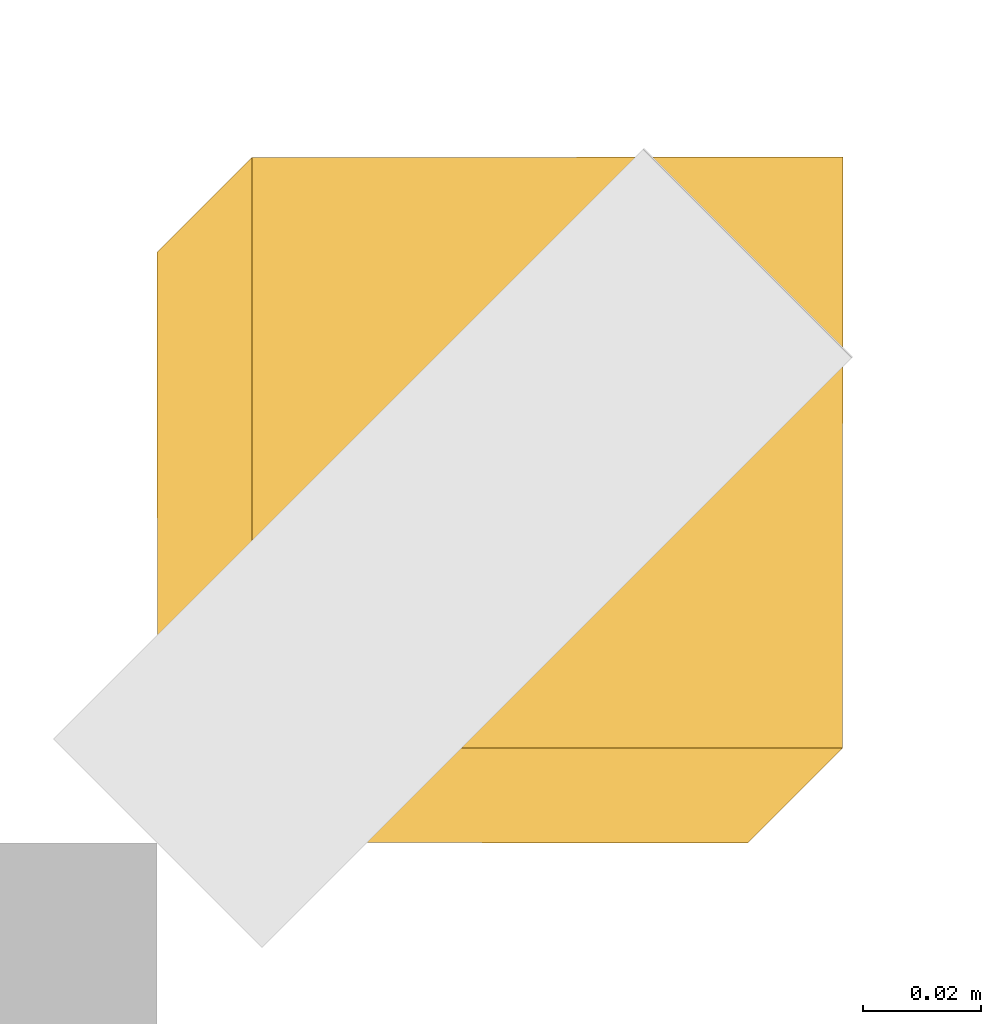
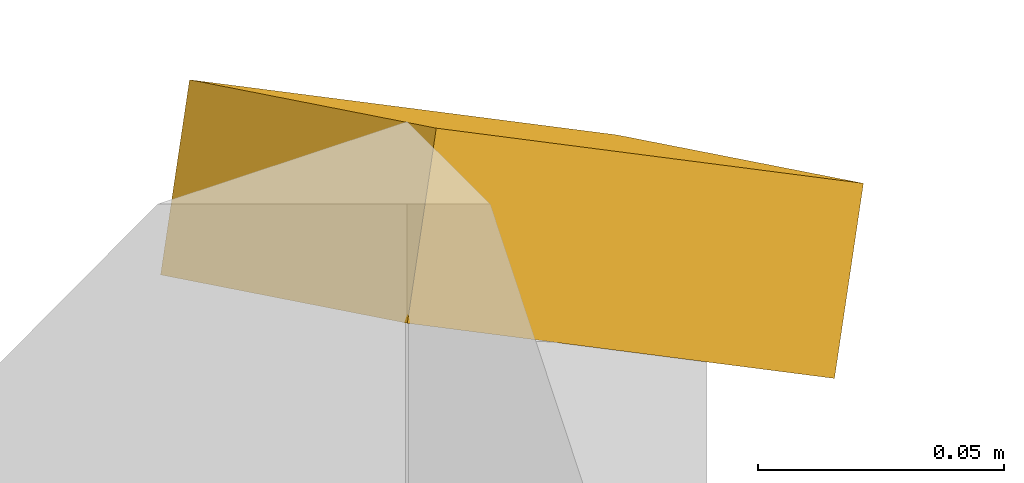
# One storey, part 57 of 58: 1 shading device.
"""IFC4 building model written with IfcOpenShell, lengths in metres."""

import ifcopenshell
import ifcopenshell.guid

model = None  # the IFC model being written
_history = None  # IfcOwnerHistory: only IFC2X3 demands one
_inside = {}  # id of a spatial element -> (the spatial element, [elements in it])
_under = {}  # id of a project, library or spatial element -> (it, [spatial elements below it])
_declared = {}  # id of a project -> (the project, [libraries it declares])
_typed = {}  # id of a type object -> (the type object, [elements of that type])
_made_of = {}  # id of a material, layer set ... -> (it, [elements and type objects made of it])


def new_model(schema):
    """Start an empty IFC model of exactly this schema.

    Asked for "IFC4X3", IfcOpenShell would pick the latest addendum, in which some entities
    have other attributes; the version numbers below select the first issue.
    IFC2X3 requires an IfcOwnerHistory on every rooted entity: one is made here for all.
    """
    global model, _history
    if schema == "IFC4X3":
        model = ifcopenshell.file(schema_version=(4, 3, 0, 0))
    else:
        model = ifcopenshell.file(schema=schema)
    _inside.clear()
    _under.clear()
    _declared.clear()
    _typed.clear()
    _made_of.clear()
    _history = None
    if model.schema == "IFC2X3":
        org = make("IfcOrganization", Name="unknown")
        user = make(
            "IfcPersonAndOrganization",
            ThePerson=make("IfcPerson", FamilyName="unknown"),
            TheOrganization=org,
        )
        app = make(
            "IfcApplication",
            ApplicationDeveloper=org,
            Version="unknown",
            ApplicationFullName="unknown",
            ApplicationIdentifier="unknown",
        )
        _history = make(
            "IfcOwnerHistory",
            OwningUser=user,
            OwningApplication=app,
            ChangeAction="ADDED",
            CreationDate=0,
        )
    return model


def make(cls, **values):
    """One entity of the class cls with the attributes given. An attribute that is None is left unset."""
    return model.create_entity(
        cls, **{name: value for name, value in values.items() if value is not None}
    )


def rooted(cls, **values):
    """An entity with a GlobalId (a new one), such as an element, a storey or a relation."""
    return make(cls, GlobalId=ifcopenshell.guid.new(), OwnerHistory=_history, **values)


def si_unit(unit_type, name, prefix=None):
    """IfcSIUnit, for example si_unit("LENGTHUNIT", "METRE", prefix="MILLI")."""
    return make("IfcSIUnit", UnitType=unit_type, Prefix=prefix, Name=name)


def assignment(units):
    """IfcUnitAssignment: the units of a project."""
    return None if units is None else make("IfcUnitAssignment", Units=units)


def point(xyz):
    """IfcCartesianPoint."""
    return None if xyz is None else make("IfcCartesianPoint", Coordinates=xyz)


def direction(xyz):
    """IfcDirection."""
    return None if xyz is None else make("IfcDirection", DirectionRatios=xyz)


def frame(location, z_axis=None, x_axis=None):
    """IfcAxis2Placement3D, a coordinate frame: its origin and axes. An axis left out is left unset."""
    return make(
        "IfcAxis2Placement3D",
        Location=point(location),
        Axis=direction(z_axis),
        RefDirection=direction(x_axis),
    )


def origin():
    """The frame at (0, 0, 0) with its axes left unset."""
    return frame((0.0, 0.0, 0.0))


def place(relative_to, where):
    """IfcLocalPlacement: puts the frame where relative to a parent placement (None: the world)."""
    return make(
        "IfcLocalPlacement", PlacementRelTo=relative_to, RelativePlacement=where
    )


def context(
    kind, dimensions, precision=None, world=None, true_north=None, identifier=None
):
    """IfcGeometricRepresentationContext, for example the 3D "Model" context."""
    return make(
        "IfcGeometricRepresentationContext",
        ContextIdentifier=identifier,
        ContextType=kind,
        CoordinateSpaceDimension=dimensions,
        Precision=precision,
        WorldCoordinateSystem=world,
        TrueNorth=true_north,
    )


def subcontext(parent, identifier, kind, view, scale=None):
    """IfcGeometricRepresentationSubContext, for example "Body" below "Model"."""
    return make(
        "IfcGeometricRepresentationSubContext",
        ContextIdentifier=identifier,
        ContextType=kind,
        ParentContext=parent,
        TargetScale=scale,
        TargetView=view,
    )


def project(units=None, contexts=None):
    """IfcProject with its units and contexts."""
    return rooted(
        "IfcProject",
        Name="project",
        RepresentationContexts=contexts,
        UnitsInContext=assignment(units),
    )


def spatial(cls, under=None, at=None, **own):
    """A site, building, storey or space (cls), placed at a placement, below another one or the project."""
    s = rooted(cls, ObjectPlacement=at, **own)
    if under is not None:
        _under.setdefault(under.id(), (under, []))[1].append(s)
    return s


def polyline(points):
    """IfcPolyline through the points."""
    return make("IfcPolyline", Points=[point(p) for p in points])


def outline(outer, holes=None, kind="AREA"):
    """IfcArbitraryClosedProfileDef: a profile drawn as a closed curve; with holes, ...WithVoids."""
    if holes is None:
        return make("IfcArbitraryClosedProfileDef", ProfileType=kind, OuterCurve=outer)
    return make(
        "IfcArbitraryProfileDefWithVoids",
        ProfileType=kind,
        OuterCurve=outer,
        InnerCurves=holes,
    )


def extrude(swept, where, along, depth):
    """IfcExtrudedAreaSolid: the profile swept, set in the frame where, extruded along a direction by depth."""
    return make(
        "IfcExtrudedAreaSolid",
        SweptArea=swept,
        Position=where,
        ExtrudedDirection=direction(along),
        Depth=depth,
    )


def shape(context_of_items, identifier, shape_type, items):
    """IfcShapeRepresentation: the items that make up one representation, for example the "Body"."""
    return make(
        "IfcShapeRepresentation",
        ContextOfItems=context_of_items,
        RepresentationIdentifier=identifier,
        RepresentationType=shape_type,
        Items=items,
    )


def material(Name=None, Category=None):
    """IfcMaterial."""
    return make("IfcMaterial", Name=Name, Category=Category)


def layer(
    of_material, thickness, ventilated=None, Name=None, Category=None, Priority=None
):
    """IfcMaterialLayer: one layer of a wall or slab, of a material (None: an air gap)."""
    return make(
        "IfcMaterialLayer",
        Material=of_material,
        LayerThickness=thickness,
        IsVentilated=ventilated,
        Name=Name,
        Category=Category,
        Priority=Priority,
    )


def layer_set(layers, Name=None):
    """IfcMaterialLayerSet."""
    return make("IfcMaterialLayerSet", MaterialLayers=layers, LayerSetName=Name)


def made_of(thing, what):
    """Note that an element or type object is made of a material, layer set ...; save() writes the relation."""
    if what is not None:
        _made_of.setdefault(what.id(), (what, []))[1].append(thing)
    return thing


def type_object(cls, material=None, **own):
    """A type object (cls), such as IfcWallType, which elements share."""
    return made_of(rooted(cls, **own), material)


def element(
    cls,
    number,
    at=None,
    inside=None,
    cuts=None,
    type_object=None,
    material=None,
    context=None,
    identifier="Body",
    shape_type=None,
    held_by="IfcProductDefinitionShape",
    body=None,
    shapes=None,
    **own,
):
    """One element of the class cls, such as IfcWall. Its Tag is "e" and its number.

    at: its placement. inside: the storey or other place that contains it. cuts: it is an
    opening in that element (IfcRelVoidsElement). A single representation is given by context,
    identifier, shape_type and body (its items); several are given by shapes. held_by: the class
    of the entity that holds the representations. save() writes the other relations.
    """
    e = rooted(cls, Tag="e%d" % number, ObjectPlacement=at, **own)
    if body is not None:
        shapes = [shape(context, identifier, shape_type, body)]
    if shapes is not None:
        e.Representation = make(held_by, Representations=shapes)
    if inside is not None:
        _inside.setdefault(inside.id(), (inside, []))[1].append(e)
    if cuts is not None:
        rooted(
            "IfcRelVoidsElement", RelatingBuildingElement=cuts, RelatedOpeningElement=e
        )
    if type_object is not None:
        _typed.setdefault(type_object.id(), (type_object, []))[1].append(e)
    return made_of(e, material)


def aggregate(whole, parts):
    """IfcRelAggregates: a whole, such as a stair, and the parts it consists of."""
    return rooted("IfcRelAggregates", RelatingObject=whole, RelatedObjects=parts)


def save(model, path):
    """Write the relations noted so far, then the file.

    IfcRelAggregates (storeys below a building ...), IfcRelContainedInSpatialStructure (elements
    in a storey), IfcRelDefinesByType, IfcRelAssociatesMaterial and IfcRelDeclares: one each for
    every whole, place, type object, material and project.
    """
    for whole, parts in _under.values():
        aggregate(whole, parts)
    for where, things in _inside.values():
        rooted(
            "IfcRelContainedInSpatialStructure",
            RelatedElements=things,
            RelatingStructure=where,
        )
    for kind, things in _typed.values():
        rooted("IfcRelDefinesByType", RelatedObjects=things, RelatingType=kind)
    for what, things in _made_of.values():
        rooted("IfcRelAssociatesMaterial", RelatedObjects=things, RelatingMaterial=what)
    for by, libraries in _declared.values():
        rooted("IfcRelDeclares", RelatingContext=by, RelatedDefinitions=libraries)
    model.write(path)


model = new_model("IFC4")

# Units and contexts
model_context = context("Model", 3, precision=1e-05, world=origin(), true_north=direction((0.0, 1.0)))
body_context = subcontext(model_context, "Body", "Model", "MODEL_VIEW")
ifc_project = project(units=[si_unit("LENGTHUNIT", "METRE"), si_unit("AREAUNIT", "SQUARE_METRE"), si_unit("VOLUMEUNIT", "CUBIC_METRE"), si_unit("PLANEANGLEUNIT", "RADIAN"), si_unit("MASSUNIT", "GRAM", prefix="KILO")], contexts=[model_context])

# Site, building, storey
site_placement = place(None, origin())
site = spatial("IfcSite", under=ifc_project, at=site_placement, CompositionType="ELEMENT")
building_placement = place(site_placement, origin())
building = spatial("IfcBuilding", under=site, at=building_placement, Name="Ussher Court Research Institute", CompositionType="ELEMENT")
storey_placement = place(building_placement, frame((0.0, 0.0, 9.89990234375)))
storey = spatial("IfcBuildingStorey", under=building, at=storey_placement, Name="L02", CompositionType="ELEMENT", Elevation=9.89990234375)

# Shading device
ifc_material = material(Name="Bronze anodised aluminium", Category="aluminium")
ifc_layer = layer(ifc_material, 0.0400390625)
ifc_layer_set = layer_set([ifc_layer], Name="Bronze anodised aluminium")
shading_device_type = type_object("IfcShadingDeviceType", Name="Brim visor sheet 40 mm canted 26 deg wet", PredefinedType="USERDEFINED", material=ifc_layer_set)
shading_device_placement = place(storey_placement, frame((104.216064453125, 33.216064453125, 4.48291015625), z_axis=(0.400847757571, 0.400847757571, 0.823797396512), x_axis=(0.899269394429, -0.000362285341, -0.437395044544)))
element("IfcShadingDevice", 1, at=shading_device_placement, inside=storey, type_object=shading_device_type, Name="Brim visor sheet BR1 L02", ObjectType="BRIM", PredefinedType="USERDEFINED", context=body_context, shape_type="SweptSolid", body=[
    extrude(outline(polyline([(0.0, 0.0), (0.11126515272958254, 0.0), (0.13258606872546647, 0.10931209908468126), (0.021214130096336967, 0.10922405822982874), (0.0, 0.0)])), origin(), (0.0, 0.0, -1.0), 0.0400390625),
])

save(model, "model.ifc")
